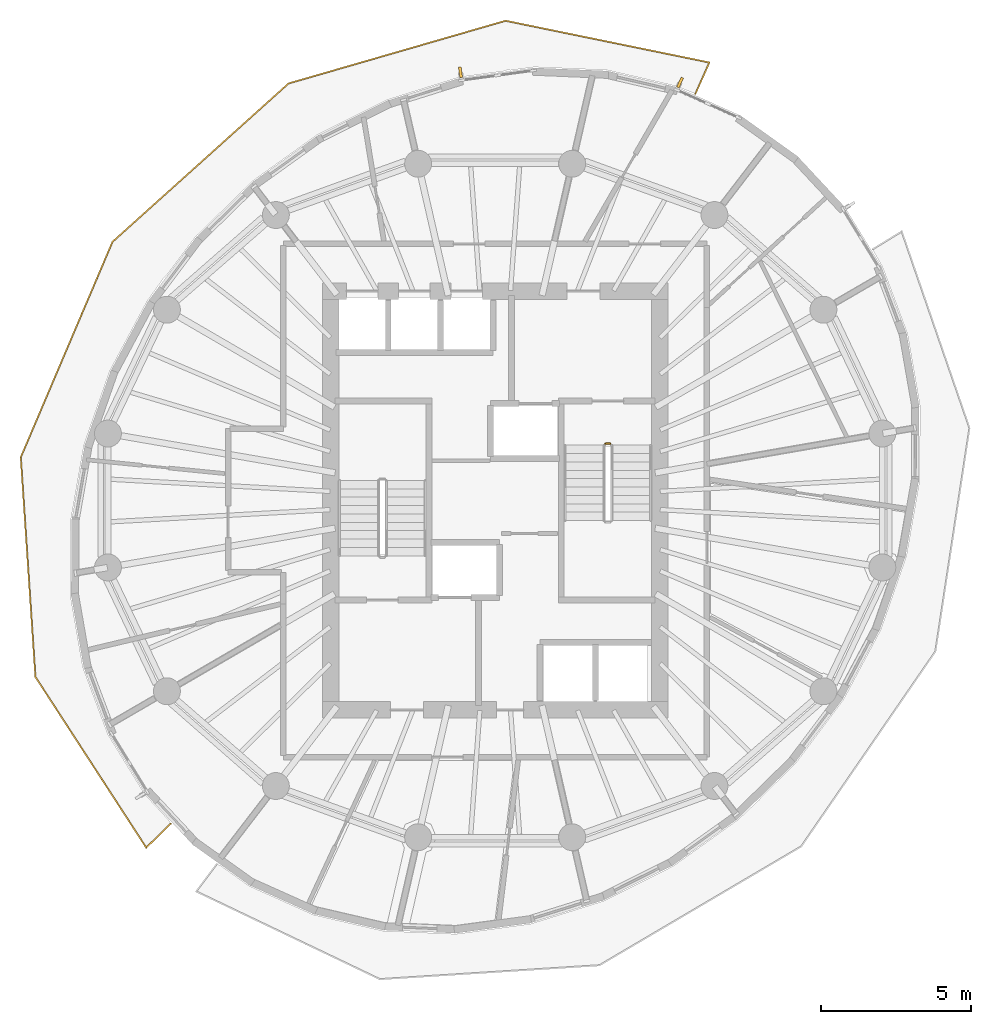
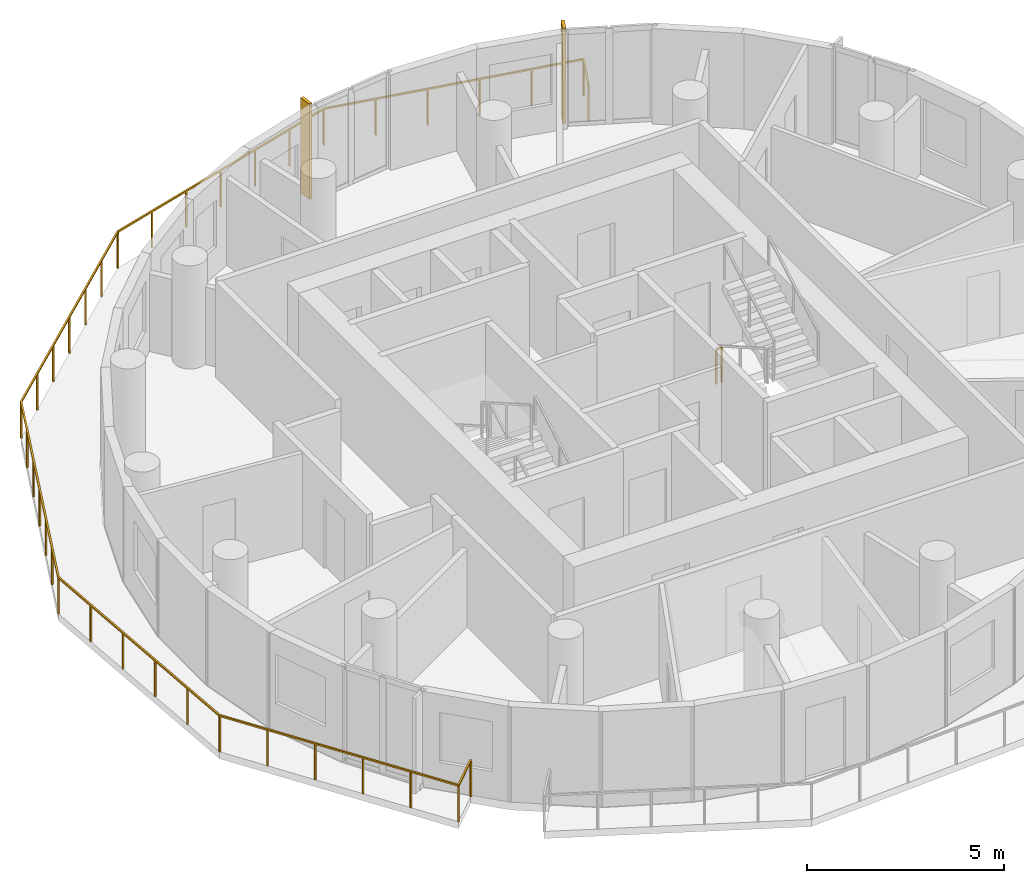
# One storey, part 9 of 10: 2 railings, 2 shading devices.
"""IFC4 building model written with IfcOpenShell, lengths in metres."""

import ifcopenshell
import ifcopenshell.guid

model = None  # the IFC model being written
_history = None  # IfcOwnerHistory: only IFC2X3 demands one
_inside = {}  # id of a spatial element -> (the spatial element, [elements in it])
_under = {}  # id of a project, library or spatial element -> (it, [spatial elements below it])
_declared = {}  # id of a project -> (the project, [libraries it declares])
_typed = {}  # id of a type object -> (the type object, [elements of that type])
_made_of = {}  # id of a material, layer set ... -> (it, [elements and type objects made of it])


def new_model(schema):
    """Start an empty IFC model of exactly this schema.

    Asked for "IFC4X3", IfcOpenShell would pick the latest addendum, in which some entities
    have other attributes; the version numbers below select the first issue.
    IFC2X3 requires an IfcOwnerHistory on every rooted entity: one is made here for all.
    """
    global model, _history
    if schema == "IFC4X3":
        model = ifcopenshell.file(schema_version=(4, 3, 0, 0))
    else:
        model = ifcopenshell.file(schema=schema)
    _inside.clear()
    _under.clear()
    _declared.clear()
    _typed.clear()
    _made_of.clear()
    _history = None
    if model.schema == "IFC2X3":
        org = make("IfcOrganization", Name="unknown")
        user = make(
            "IfcPersonAndOrganization",
            ThePerson=make("IfcPerson", FamilyName="unknown"),
            TheOrganization=org,
        )
        app = make(
            "IfcApplication",
            ApplicationDeveloper=org,
            Version="unknown",
            ApplicationFullName="unknown",
            ApplicationIdentifier="unknown",
        )
        _history = make(
            "IfcOwnerHistory",
            OwningUser=user,
            OwningApplication=app,
            ChangeAction="ADDED",
            CreationDate=0,
        )
    return model


def make(cls, **values):
    """One entity of the class cls with the attributes given. An attribute that is None is left unset."""
    return model.create_entity(
        cls, **{name: value for name, value in values.items() if value is not None}
    )


def rooted(cls, **values):
    """An entity with a GlobalId (a new one), such as an element, a storey or a relation."""
    return make(cls, GlobalId=ifcopenshell.guid.new(), OwnerHistory=_history, **values)


def si_unit(unit_type, name, prefix=None):
    """IfcSIUnit, for example si_unit("LENGTHUNIT", "METRE", prefix="MILLI")."""
    return make("IfcSIUnit", UnitType=unit_type, Prefix=prefix, Name=name)


def assignment(units):
    """IfcUnitAssignment: the units of a project."""
    return None if units is None else make("IfcUnitAssignment", Units=units)


def point(xyz):
    """IfcCartesianPoint."""
    return None if xyz is None else make("IfcCartesianPoint", Coordinates=xyz)


def direction(xyz):
    """IfcDirection."""
    return None if xyz is None else make("IfcDirection", DirectionRatios=xyz)


def frame(location, z_axis=None, x_axis=None):
    """IfcAxis2Placement3D, a coordinate frame: its origin and axes. An axis left out is left unset."""
    return make(
        "IfcAxis2Placement3D",
        Location=point(location),
        Axis=direction(z_axis),
        RefDirection=direction(x_axis),
    )


def frame_2d(location, x_axis=None):
    """IfcAxis2Placement2D, a coordinate frame in the plane: its origin and x axis."""
    return make(
        "IfcAxis2Placement2D", Location=point(location), RefDirection=direction(x_axis)
    )


def origin():
    """The frame at (0, 0, 0) with its axes left unset."""
    return frame((0.0, 0.0, 0.0))


def origin_2d():
    """The frame at (0, 0) in the plane with its x axis left unset."""
    return frame_2d((0.0, 0.0))


def place(relative_to, where):
    """IfcLocalPlacement: puts the frame where relative to a parent placement (None: the world)."""
    return make(
        "IfcLocalPlacement", PlacementRelTo=relative_to, RelativePlacement=where
    )


def context(
    kind, dimensions, precision=None, world=None, true_north=None, identifier=None
):
    """IfcGeometricRepresentationContext, for example the 3D "Model" context."""
    return make(
        "IfcGeometricRepresentationContext",
        ContextIdentifier=identifier,
        ContextType=kind,
        CoordinateSpaceDimension=dimensions,
        Precision=precision,
        WorldCoordinateSystem=world,
        TrueNorth=true_north,
    )


def subcontext(parent, identifier, kind, view, scale=None):
    """IfcGeometricRepresentationSubContext, for example "Body" below "Model"."""
    return make(
        "IfcGeometricRepresentationSubContext",
        ContextIdentifier=identifier,
        ContextType=kind,
        ParentContext=parent,
        TargetScale=scale,
        TargetView=view,
    )


def project(units=None, contexts=None):
    """IfcProject with its units and contexts."""
    return rooted(
        "IfcProject",
        Name="project",
        RepresentationContexts=contexts,
        UnitsInContext=assignment(units),
    )


def spatial(cls, under=None, at=None, **own):
    """A site, building, storey or space (cls), placed at a placement, below another one or the project."""
    s = rooted(cls, ObjectPlacement=at, **own)
    if under is not None:
        _under.setdefault(under.id(), (under, []))[1].append(s)
    return s


def profile(cls, at=None, kind="AREA", **sizes):
    """A parametric profile (cls). Its sizes go by their IFC names, for example OverallWidth=200.0."""
    return make(cls, ProfileType=kind, Position=at, **sizes)


def rectangle(**sizes):
    """IfcRectangleProfileDef."""
    return profile("IfcRectangleProfileDef", **sizes)


def extrude(swept, where, along, depth):
    """IfcExtrudedAreaSolid: the profile swept, set in the frame where, extruded along a direction by depth."""
    return make(
        "IfcExtrudedAreaSolid",
        SweptArea=swept,
        Position=where,
        ExtrudedDirection=direction(along),
        Depth=depth,
    )


def shape(context_of_items, identifier, shape_type, items):
    """IfcShapeRepresentation: the items that make up one representation, for example the "Body"."""
    return make(
        "IfcShapeRepresentation",
        ContextOfItems=context_of_items,
        RepresentationIdentifier=identifier,
        RepresentationType=shape_type,
        Items=items,
    )


def material(Name=None, Category=None):
    """IfcMaterial."""
    return make("IfcMaterial", Name=Name, Category=Category)


def layer(
    of_material, thickness, ventilated=None, Name=None, Category=None, Priority=None
):
    """IfcMaterialLayer: one layer of a wall or slab, of a material (None: an air gap)."""
    return make(
        "IfcMaterialLayer",
        Material=of_material,
        LayerThickness=thickness,
        IsVentilated=ventilated,
        Name=Name,
        Category=Category,
        Priority=Priority,
    )


def layer_set(layers, Name=None):
    """IfcMaterialLayerSet."""
    return make("IfcMaterialLayerSet", MaterialLayers=layers, LayerSetName=Name)


def made_of(thing, what):
    """Note that an element or type object is made of a material, layer set ...; save() writes the relation."""
    if what is not None:
        _made_of.setdefault(what.id(), (what, []))[1].append(thing)
    return thing


def type_object(cls, material=None, **own):
    """A type object (cls), such as IfcWallType, which elements share."""
    return made_of(rooted(cls, **own), material)


def element(
    cls,
    number,
    at=None,
    inside=None,
    cuts=None,
    type_object=None,
    material=None,
    context=None,
    identifier="Body",
    shape_type=None,
    held_by="IfcProductDefinitionShape",
    body=None,
    shapes=None,
    **own,
):
    """One element of the class cls, such as IfcWall. Its Tag is "e" and its number.

    at: its placement. inside: the storey or other place that contains it. cuts: it is an
    opening in that element (IfcRelVoidsElement). A single representation is given by context,
    identifier, shape_type and body (its items); several are given by shapes. held_by: the class
    of the entity that holds the representations. save() writes the other relations.
    """
    e = rooted(cls, Tag="e%d" % number, ObjectPlacement=at, **own)
    if body is not None:
        shapes = [shape(context, identifier, shape_type, body)]
    if shapes is not None:
        e.Representation = make(held_by, Representations=shapes)
    if inside is not None:
        _inside.setdefault(inside.id(), (inside, []))[1].append(e)
    if cuts is not None:
        rooted(
            "IfcRelVoidsElement", RelatingBuildingElement=cuts, RelatedOpeningElement=e
        )
    if type_object is not None:
        _typed.setdefault(type_object.id(), (type_object, []))[1].append(e)
    return made_of(e, material)


def aggregate(whole, parts):
    """IfcRelAggregates: a whole, such as a stair, and the parts it consists of."""
    return rooted("IfcRelAggregates", RelatingObject=whole, RelatedObjects=parts)


def save(model, path):
    """Write the relations noted so far, then the file.

    IfcRelAggregates (storeys below a building ...), IfcRelContainedInSpatialStructure (elements
    in a storey), IfcRelDefinesByType, IfcRelAssociatesMaterial and IfcRelDeclares: one each for
    every whole, place, type object, material and project.
    """
    for whole, parts in _under.values():
        aggregate(whole, parts)
    for where, things in _inside.values():
        rooted(
            "IfcRelContainedInSpatialStructure",
            RelatedElements=things,
            RelatingStructure=where,
        )
    for kind, things in _typed.values():
        rooted("IfcRelDefinesByType", RelatedObjects=things, RelatingType=kind)
    for what, things in _made_of.values():
        rooted("IfcRelAssociatesMaterial", RelatedObjects=things, RelatingMaterial=what)
    for by, libraries in _declared.values():
        rooted("IfcRelDeclares", RelatingContext=by, RelatedDefinitions=libraries)
    model.write(path)


model = new_model("IFC4")

# Units and contexts
model_context = context("Model", 3, precision=1e-05, world=origin(), true_north=direction((0.0, 1.0)))
body_context = subcontext(model_context, "Body", "Model", "MODEL_VIEW")
ifc_project = project(units=[si_unit("LENGTHUNIT", "METRE"), si_unit("AREAUNIT", "SQUARE_METRE"), si_unit("VOLUMEUNIT", "CUBIC_METRE"), si_unit("PLANEANGLEUNIT", "RADIAN"), si_unit("MASSUNIT", "GRAM", prefix="KILO")], contexts=[model_context])

# Site, building, storey
site_placement = place(None, origin())
site = spatial("IfcSite", under=ifc_project, at=site_placement, CompositionType="ELEMENT")
building_placement = place(site_placement, origin())
building = spatial("IfcBuilding", under=site, at=building_placement, Name="Veldorim Arch Residences", CompositionType="ELEMENT")
storey_placement = place(building_placement, frame((0.0, 0.0, 201.43994140625)))
storey = spatial("IfcBuildingStorey", under=building, at=storey_placement, Name="L60", CompositionType="ELEMENT", Elevation=201.43994140625)

# Railings
ifc_material_1 = material(Name="Aluminium", Category="aluminium")
railing_type_1 = type_object("IfcRailingType", Name="Balcony & Terrace Laminated Glass Balustrade 1150", PredefinedType="BALUSTRADE", material=ifc_material_1)
railing_1_placement = place(storey_placement, frame((38.6943359375, 37.596923828125, 0.0)))
element("IfcRailing", 1, at=railing_1_placement, inside=storey, type_object=railing_type_1, Name="L60 crescent balcony safety balustrade A", PredefinedType="BALUSTRADE", context=body_context, shape_type="SweptSolid", body=[
    extrude(rectangle(XDim=0.048095703125, YDim=0.048095703125, at=origin_2d()), frame((0.0, 0.0, 1.1259765625), z_axis=(0.407812042378, 0.913065900191, 0.0), x_axis=(-0.913065900191, 0.407812042378, 0.0)), (0.0, 0.0, 1.0), 1.150146484375),
    extrude(rectangle(XDim=0.048095703125, YDim=0.048095703125, at=origin_2d()), frame((0.468994140625, 1.050048828125, 1.1259765625), z_axis=(-0.97963545867, 0.200784382153, 0.0), x_axis=(-0.200784382153, -0.97963545867, 0.0)), (0.0, 0.0, 1.0), 6.956298828125),
    extrude(rectangle(XDim=0.048095703125, YDim=0.048095703125, at=origin_2d()), frame((-6.345703125, 2.44677734375, 1.1259765625), z_axis=(-0.960694076147, -0.277609243464, 0.0), x_axis=(0.277609243464, -0.960694076147, 0.0)), (0.0, 0.0, 1.0), 7.55517578125),
    extrude(rectangle(XDim=0.048095703125, YDim=0.048095703125, at=origin_2d()), frame((-13.60400390625, 0.349365234375, 1.1259765625), z_axis=(-0.743455085747, -0.668785866685, 0.0), x_axis=(0.668785866685, -0.743455085747, 0.0)), (0.0, 0.0, 1.0), 7.9189453125),
    extrude(rectangle(XDim=0.048095703125, YDim=0.048095703125, at=origin_2d()), frame((-19.491455078125, -4.94677734375, 1.1259765625), z_axis=(-0.391634345347, -0.920120937456, 0.0), x_axis=(0.920120937456, -0.391634345347, 0.0)), (0.0, 0.0, 1.0), 7.83154296875),
    extrude(rectangle(XDim=0.048095703125, YDim=0.048095703125, at=origin_2d()), frame((-22.55859375, -12.15283203125, 1.1259765625), z_axis=(0.066503592508, -0.997786185605, 0.0), x_axis=(0.997786185605, 0.066503592508, 0.0)), (0.0, 0.0, 1.0), 7.35693359375),
    extrude(rectangle(XDim=0.048095703125, YDim=0.048095703125, at=origin_2d()), frame((-22.0693359375, -19.493408203125, 1.1259765625), z_axis=(0.544389574697, -0.838832516633, 0.0), x_axis=(0.838832516633, 0.544389574697, 0.0)), (0.0, 0.0, 1.0), 6.80908203125),
    extrude(rectangle(XDim=0.048095703125, YDim=0.048095703125, at=origin_2d()), frame((-18.362548828125, -25.205078125, 1.1259765625), z_axis=(0.715442809068, 0.698671301081, 0.0), x_axis=(-0.698671301081, 0.715442809068, 0.0)), (0.0, 0.0, 1.0), 1.14990234375),
    extrude(rectangle(XDim=0.0419921875, YDim=0.0419921875, at=origin_2d()), origin(), (0.0, 0.0, 1.0), 1.101806640625),
    extrude(rectangle(XDim=0.0419921875, YDim=0.0419921875, at=origin_2d()), frame((0.468994140625, 1.050048828125, 0.0)), (0.0, 0.0, 1.0), 1.101806640625),
    extrude(rectangle(XDim=0.0419921875, YDim=0.0419921875, at=origin_2d()), frame((-0.89404296875, 1.329345703125, 0.0)), (0.0, 0.0, 1.0), 1.101806640625),
    extrude(rectangle(XDim=0.0419921875, YDim=0.0419921875, at=origin_2d()), frame((-2.2568359375, 1.608642578125, 0.0)), (0.0, 0.0, 1.0), 1.101806640625),
    extrude(rectangle(XDim=0.0419921875, YDim=0.0419921875, at=origin_2d()), frame((-3.619873046875, 1.88818359375, 0.0)), (0.0, 0.0, 1.0), 1.101806640625),
    extrude(rectangle(XDim=0.0419921875, YDim=0.0419921875, at=origin_2d()), frame((-4.982666015625, 2.16748046875, 0.0)), (0.0, 0.0, 1.0), 1.101806640625),
    extrude(rectangle(XDim=0.0419921875, YDim=0.0419921875, at=origin_2d()), frame((-6.345703125, 2.44677734375, 0.0)), (0.0, 0.0, 1.0), 1.101806640625),
    extrude(rectangle(XDim=0.0419921875, YDim=0.0419921875, at=origin_2d()), frame((-7.555419921875, 2.09716796875, 0.0)), (0.0, 0.0, 1.0), 1.101806640625),
    extrude(rectangle(XDim=0.0419921875, YDim=0.0419921875, at=origin_2d()), frame((-8.76513671875, 1.74755859375, 0.0)), (0.0, 0.0, 1.0), 1.101806640625),
    extrude(rectangle(XDim=0.0419921875, YDim=0.0419921875, at=origin_2d()), frame((-9.974853515625, 1.39794921875, 0.0)), (0.0, 0.0, 1.0), 1.101806640625),
    extrude(rectangle(XDim=0.0419921875, YDim=0.0419921875, at=origin_2d()), frame((-11.1845703125, 1.048583984375, 0.0)), (0.0, 0.0, 1.0), 1.101806640625),
    extrude(rectangle(XDim=0.0419921875, YDim=0.0419921875, at=origin_2d()), frame((-12.394287109375, 0.698974609375, 0.0)), (0.0, 0.0, 1.0), 1.101806640625),
    extrude(rectangle(XDim=0.0419921875, YDim=0.0419921875, at=origin_2d()), frame((-13.60400390625, 0.349365234375, 0.0)), (0.0, 0.0, 1.0), 1.101806640625),
    extrude(rectangle(XDim=0.0419921875, YDim=0.0419921875, at=origin_2d()), frame((-14.585205078125, -0.533203125, 0.0)), (0.0, 0.0, 1.0), 1.101806640625),
    extrude(rectangle(XDim=0.0419921875, YDim=0.0419921875, at=origin_2d()), frame((-15.56640625, -1.416015625, 0.0)), (0.0, 0.0, 1.0), 1.101806640625),
    extrude(rectangle(XDim=0.0419921875, YDim=0.0419921875, at=origin_2d()), frame((-16.5478515625, -2.298828125, 0.0)), (0.0, 0.0, 1.0), 1.101806640625),
    extrude(rectangle(XDim=0.0419921875, YDim=0.0419921875, at=origin_2d()), frame((-17.529052734375, -3.181396484375, 0.0)), (0.0, 0.0, 1.0), 1.101806640625),
    extrude(rectangle(XDim=0.0419921875, YDim=0.0419921875, at=origin_2d()), frame((-18.51025390625, -4.06396484375, 0.0)), (0.0, 0.0, 1.0), 1.101806640625),
    extrude(rectangle(XDim=0.0419921875, YDim=0.0419921875, at=origin_2d()), frame((-19.491455078125, -4.94677734375, 0.0)), (0.0, 0.0, 1.0), 1.101806640625),
    extrude(rectangle(XDim=0.0419921875, YDim=0.0419921875, at=origin_2d()), frame((-20.002685546875, -6.147705078125, 0.0)), (0.0, 0.0, 1.0), 1.101806640625),
    extrude(rectangle(XDim=0.0419921875, YDim=0.0419921875, at=origin_2d()), frame((-20.513916015625, -7.348876953125, 0.0)), (0.0, 0.0, 1.0), 1.101806640625),
    extrude(rectangle(XDim=0.0419921875, YDim=0.0419921875, at=origin_2d()), frame((-21.02490234375, -8.5498046875, 0.0)), (0.0, 0.0, 1.0), 1.101806640625),
    extrude(rectangle(XDim=0.0419921875, YDim=0.0419921875, at=origin_2d()), frame((-21.5361328125, -9.750732421875, 0.0)), (0.0, 0.0, 1.0), 1.101806640625),
    extrude(rectangle(XDim=0.0419921875, YDim=0.0419921875, at=origin_2d()), frame((-22.04736328125, -10.951904296875, 0.0)), (0.0, 0.0, 1.0), 1.101806640625),
    extrude(rectangle(XDim=0.0419921875, YDim=0.0419921875, at=origin_2d()), frame((-22.55859375, -12.15283203125, 0.0)), (0.0, 0.0, 1.0), 1.101806640625),
    extrude(rectangle(XDim=0.0419921875, YDim=0.0419921875, at=origin_2d()), frame((-22.460693359375, -13.620849609375, 0.0)), (0.0, 0.0, 1.0), 1.101806640625),
    extrude(rectangle(XDim=0.0419921875, YDim=0.0419921875, at=origin_2d()), frame((-22.36279296875, -15.089111328125, 0.0)), (0.0, 0.0, 1.0), 1.101806640625),
    extrude(rectangle(XDim=0.0419921875, YDim=0.0419921875, at=origin_2d()), frame((-22.26513671875, -16.55712890625, 0.0)), (0.0, 0.0, 1.0), 1.101806640625),
    extrude(rectangle(XDim=0.0419921875, YDim=0.0419921875, at=origin_2d()), frame((-22.167236328125, -18.025390625, 0.0)), (0.0, 0.0, 1.0), 1.101806640625),
    extrude(rectangle(XDim=0.0419921875, YDim=0.0419921875, at=origin_2d()), frame((-22.0693359375, -19.493408203125, 0.0)), (0.0, 0.0, 1.0), 1.101806640625),
    extrude(rectangle(XDim=0.0419921875, YDim=0.0419921875, at=origin_2d()), frame((-21.327880859375, -20.6357421875, 0.0)), (0.0, 0.0, 1.0), 1.101806640625),
    extrude(rectangle(XDim=0.0419921875, YDim=0.0419921875, at=origin_2d()), frame((-20.586669921875, -21.778076171875, 0.0)), (0.0, 0.0, 1.0), 1.101806640625),
    extrude(rectangle(XDim=0.0419921875, YDim=0.0419921875, at=origin_2d()), frame((-19.84521484375, -22.92041015625, 0.0)), (0.0, 0.0, 1.0), 1.101806640625),
    extrude(rectangle(XDim=0.0419921875, YDim=0.0419921875, at=origin_2d()), frame((-19.10400390625, -24.062744140625, 0.0)), (0.0, 0.0, 1.0), 1.101806640625),
    extrude(rectangle(XDim=0.0419921875, YDim=0.0419921875, at=origin_2d()), frame((-18.362548828125, -25.205078125, 0.0)), (0.0, 0.0, 1.0), 1.101806640625),
    extrude(rectangle(XDim=0.0419921875, YDim=0.0419921875, at=origin_2d()), frame((-17.539794921875, -24.401611328125, 0.0)), (0.0, 0.0, 1.0), 1.101806640625),
])
ifc_material_2 = material(Name="Steel S355", Category="steel")
railing_type_2 = type_object("IfcRailingType", Name="Galvanised Steel Stair Safety Guardrail 1100", PredefinedType="GUARDRAIL", material=ifc_material_2)
railing_2_placement = place(storey_placement, frame((35.68994140625, 25.89990234375, 0.0)))
element("IfcRailing", 2, at=railing_2_placement, inside=storey, type_object=railing_type_2, Name="L60 ST-2 stair guard 4", PredefinedType="GUARDRAIL", context=body_context, shape_type="SweptSolid", body=[
    extrude(rectangle(XDim=0.048095703125, YDim=0.048095703125, at=origin_2d()), frame((0.0, 0.0, 1.076171875), z_axis=(1.0, 0.0, 0.0), x_axis=(0.0, 1.0, 0.0)), (0.0, 0.0, 1.0), 0.16015625),
    extrude(rectangle(XDim=0.0419921875, YDim=0.0419921875, at=origin_2d()), origin(), (0.0, 0.0, 1.0), 1.052001953125),
    extrude(rectangle(XDim=0.0419921875, YDim=0.0419921875, at=origin_2d()), frame((0.16015625, 0.0, 0.0)), (0.0, 0.0, 1.0), 1.052001953125),
])

# Shading devices
ifc_material_3 = material(Name="Terracotta Ceramic", Category="masonry")
ifc_layer = layer(ifc_material_3, 0.090087890625, Name="Vertical Extruded Terracotta Baguette Sun-Shading Fin")
ifc_layer_set = layer_set([ifc_layer], Name="Terracotta Ceramic")
shading_device_type = type_object("IfcShadingDeviceType", Name="Vertical Extruded Terracotta Baguette Sun-Shading Fin", PredefinedType="USERDEFINED", material=ifc_layer_set)
for number, where, z_axis, x_axis, name in (
    (3, (38.18310546875, 37.975341796875, 0.0), (0.0, 0.0, 1.0), (0.912477494148, -0.409126902895, 0.0), "L60 vertical terracotta sun-shading fin 02"),
    (4, (30.841552734375, 38.318115234375, 0.0), (0.0, 0.0, 1.0), (0.990959799621, 0.134159142573, 0.0), "L60 vertical terracotta sun-shading fin 05"),
):
    element("IfcShadingDevice", number, at=place(storey_placement, frame(where, z_axis=z_axis, x_axis=x_axis)), inside=storey, type_object=shading_device_type, Name=name, ObjectType="FIN", PredefinedType="USERDEFINED", context=body_context, shape_type="SweptSolid", body=[
        extrude(rectangle(XDim=0.090087890625, YDim=0.360107421875, at=origin_2d()), origin(), (0.0, 0.0, 1.0), 2.9599609375),
    ])

save(model, "model.ifc")
